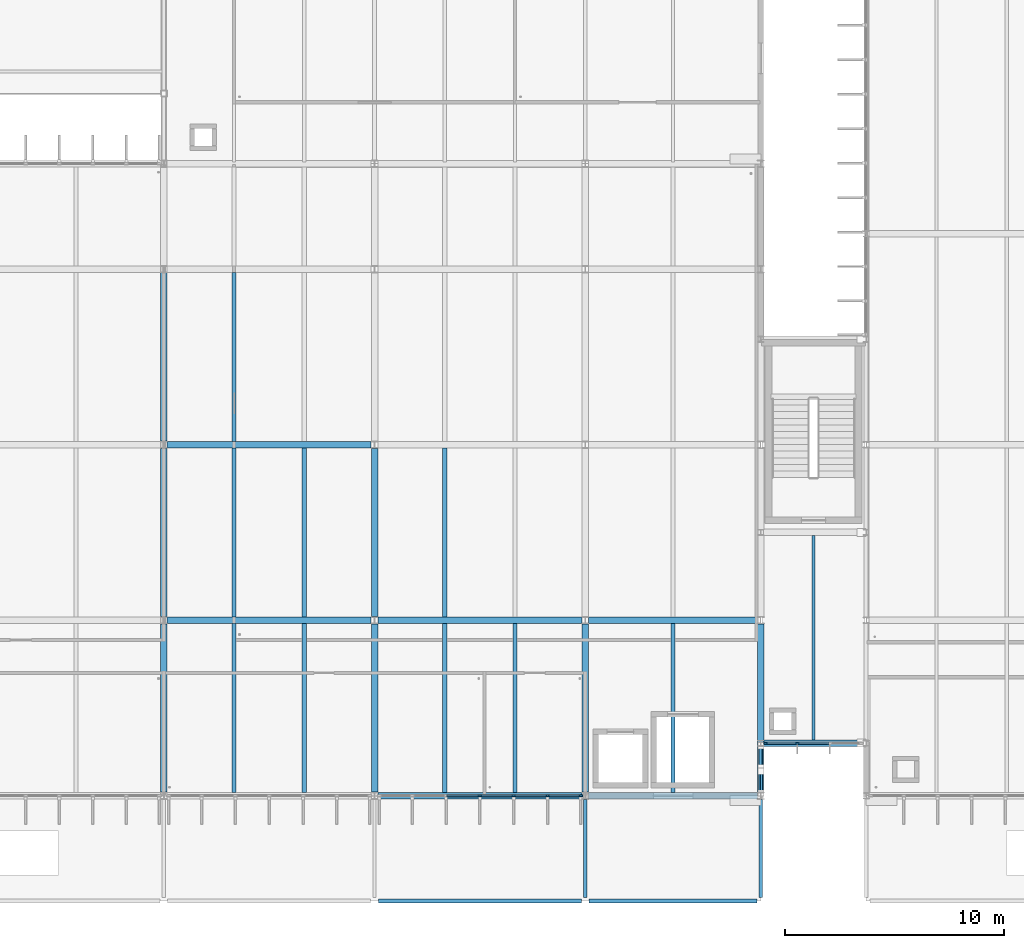
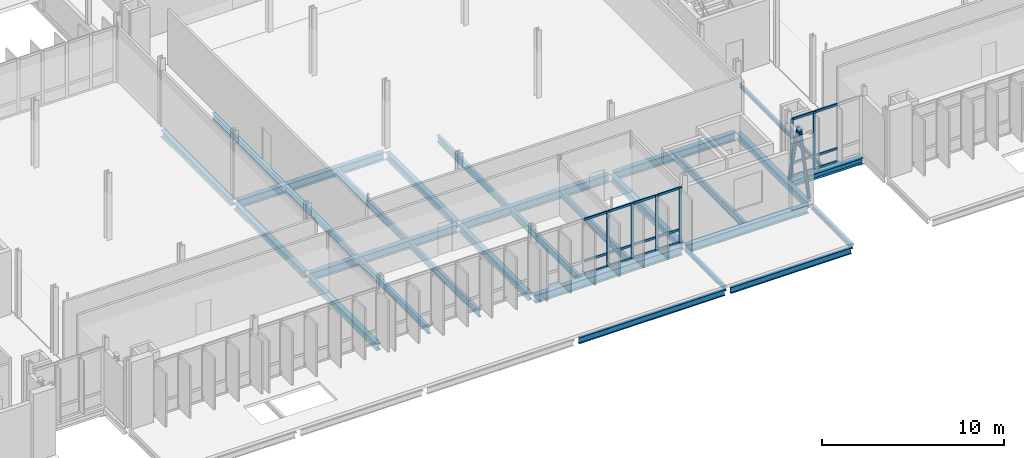
# One storey, part 29 of 107: 28 beams, 26 members, 2 elements without a shape of their own.
"""IFC4 building model written with IfcOpenShell, lengths in metres."""

from ifc_helpers import new_model, si_unit, direction, frame, origin, origin_2d, place, context, subcontext, project, spatial, rectangle, hollow_circle, i_section, extrude, material, material_profile, profile_set, type_object, element, aggregate, save


model = new_model("IFC4")

# Units and contexts
model_context = context("Model", 3, precision=1e-05, world=origin(), true_north=direction((0.0, 1.0)))
body_context = subcontext(model_context, "Body", "Model", "MODEL_VIEW")
ifc_project = project(units=[si_unit("LENGTHUNIT", "METRE"), si_unit("AREAUNIT", "SQUARE_METRE"), si_unit("VOLUMEUNIT", "CUBIC_METRE"), si_unit("PLANEANGLEUNIT", "RADIAN"), si_unit("MASSUNIT", "GRAM", prefix="KILO")], contexts=[model_context])

# Site, building, storey
site_placement = place(None, origin())
site = spatial("IfcSite", under=ifc_project, at=site_placement, CompositionType="ELEMENT")
building_placement = place(site_placement, origin())
building = spatial("IfcBuilding", under=site, at=building_placement, Name="Dunescarp Central Library", CompositionType="ELEMENT")
storey_placement = place(building_placement, frame((0.0, 0.0, 5.10009765625)))
storey = spatial("IfcBuildingStorey", under=building, at=storey_placement, Name="L01", CompositionType="ELEMENT", Elevation=5.10009765625)

# Curtain wall, members
ifc_material_1 = material(Name="Marine-grade anodised aluminium 6063-T6", Category="aluminium")
curtain_wall_type_1 = type_object("IfcCurtainWallType", Name="ARC-CW-STICK", PredefinedType="NOTDEFINED", material=ifc_material_1)
curtain_wall_1_placement = place(storey_placement, origin())
curtain_wall_1 = element("IfcCurtainWall", 1, at=curtain_wall_1_placement, inside=storey, type_object=curtain_wall_type_1, Name="L01 curtain wall CW-V3-087", PredefinedType="NOTDEFINED")
ifc_material_profile_1 = material_profile(ifc_material_1, rectangle(XDim=0.080078125, YDim=0.179931640625, at=origin_2d()), Name="AL 80x180")
ifc_profile_set_1 = profile_set([ifc_material_profile_1], Name="Marine-grade anodised aluminium 6063-T6")
member_type_1 = type_object("IfcMemberType", Name="ARC-CWM-180", PredefinedType="MULLION", material=ifc_profile_set_1)
member_1_placement = place(storey_placement, frame((116.5849609375, 4.800048828125, 0.0), z_axis=(0.0, 0.0, 1.0), x_axis=(0.0, -1.0, 0.0)))
member_1 = element("IfcMember", 2, at=member_1_placement, type_object=member_type_1, Name="CW-V3-087 mullion 1", PredefinedType="MULLION", context=body_context, shape_type="SweptSolid", body=[
    extrude(rectangle(XDim=0.080078125, YDim=0.179931640625, at=origin_2d()), origin(), (0.0, 0.0, 1.0), 3.71484375),
])
member_2_placement = place(storey_placement, frame((115.083251953125, 4.800048828125, 0.0), z_axis=(0.0, 0.0, 1.0), x_axis=(0.0, -1.0, 0.0)))
member_2 = element("IfcMember", 3, at=member_2_placement, type_object=member_type_1, Name="CW-V3-087 mullion 2", PredefinedType="MULLION", context=body_context, shape_type="SweptSolid", body=[
    extrude(rectangle(XDim=0.080078125, YDim=0.179931640625, at=origin_2d()), origin(), (0.0, 0.0, 1.0), 3.71484375),
])
member_3_placement = place(storey_placement, frame((113.541748046875, 4.800048828125, 0.0), z_axis=(0.0, 0.0, 1.0), x_axis=(0.0, -1.0, 0.0)))
member_3 = element("IfcMember", 4, at=member_3_placement, type_object=member_type_1, Name="CW-V3-087 mullion 3", PredefinedType="MULLION", context=body_context, shape_type="SweptSolid", body=[
    extrude(rectangle(XDim=0.080078125, YDim=0.179931640625, at=origin_2d()), origin(), (0.0, 0.0, 1.0), 3.71484375),
])
member_4_placement = place(storey_placement, frame((112.0, 4.800048828125, 0.0), z_axis=(0.0, 0.0, 1.0), x_axis=(0.0, -1.0, 0.0)))
member_4 = element("IfcMember", 5, at=member_4_placement, type_object=member_type_1, Name="CW-V3-087 mullion 4", PredefinedType="MULLION", context=body_context, shape_type="SweptSolid", body=[
    extrude(rectangle(XDim=0.080078125, YDim=0.179931640625, at=origin_2d()), origin(), (0.0, 0.0, 1.0), 3.71484375),
])

curtain_wall_type_2 = type_object("IfcCurtainWallType", Name="ARC-CW-LINK", PredefinedType="USERDEFINED", material=ifc_material_1)
curtain_wall_2_placement = place(storey_placement, origin())
curtain_wall_2 = element("IfcCurtainWall", 6, at=curtain_wall_2_placement, inside=storey, type_object=curtain_wall_type_2, Name="L01 curtain wall CW-GL3-S-L01", ObjectType="GLAZED_LINK_WALL", PredefinedType="USERDEFINED")
member_5_placement = place(storey_placement, frame((126.458251953125, 7.199951171875, 0.0), z_axis=(0.0, 0.0, 1.0), x_axis=(0.0, -1.0, 0.0)))
member_5 = element("IfcMember", 7, at=member_5_placement, type_object=member_type_1, Name="CW-GL3-S-L01 mullion 3", PredefinedType="MULLION", context=body_context, shape_type="SweptSolid", body=[
    extrude(rectangle(XDim=0.080078125, YDim=0.179931640625, at=origin_2d()), origin(), (0.0, 0.0, 1.0), 3.875),
])
member_6_placement = place(storey_placement, frame((125.014892578125, 7.199951171875, 0.0), z_axis=(0.0, 0.0, 1.0), x_axis=(0.0, -1.0, 0.0)))
member_6 = element("IfcMember", 8, at=member_6_placement, type_object=member_type_1, Name="CW-GL3-S-L01 mullion 4", PredefinedType="MULLION", context=body_context, shape_type="SweptSolid", body=[
    extrude(rectangle(XDim=0.080078125, YDim=0.179931640625, at=origin_2d()), origin(), (0.0, 0.0, 1.0), 3.875),
])

# Member
ifc_material_profile_2 = material_profile(ifc_material_1, rectangle(XDim=0.080078125, YDim=0.14990234375, at=origin_2d()), Name="AL 80x150")
ifc_profile_set_2 = profile_set([ifc_material_profile_2], Name="Marine-grade anodised aluminium 6063-T6")
member_type_2 = type_object("IfcMemberType", Name="ARC-CWT-150", PredefinedType="USERDEFINED", material=ifc_profile_set_2)
member_7_placement = place(storey_placement, frame((116.544921875, 4.800048828125, 0.039794921875), z_axis=(-1.0, 0.0, 0.0), x_axis=(0.0, -1.0, 0.0)))
member_7 = element("IfcMember", 9, at=member_7_placement, type_object=member_type_2, Name="CW-V3-087 transom 1.1", ObjectType="TRANSOM", PredefinedType="USERDEFINED", context=body_context, shape_type="SweptSolid", body=[
    extrude(rectangle(XDim=0.080078125, YDim=0.14990234375, at=origin_2d()), origin(), (0.0, 0.0, 1.0), 1.421630859375),
])

member_8_placement = place(storey_placement, frame((116.544921875, 4.800048828125, 0.89990234375), z_axis=(-1.0, 0.0, 0.0), x_axis=(0.0, -1.0, 0.0)))
member_8 = element("IfcMember", 10, at=member_8_placement, type_object=member_type_2, Name="CW-V3-087 transom 1.2", ObjectType="TRANSOM", PredefinedType="USERDEFINED", context=body_context, shape_type="SweptSolid", body=[
    extrude(rectangle(XDim=0.080078125, YDim=0.14990234375, at=origin_2d()), origin(), (0.0, 0.0, 1.0), 1.421630859375),
])

member_9_placement = place(storey_placement, frame((116.544921875, 4.800048828125, 3.6748046875), z_axis=(-1.0, 0.0, 0.0), x_axis=(0.0, -1.0, 0.0)))
member_9 = element("IfcMember", 11, at=member_9_placement, type_object=member_type_2, Name="CW-V3-087 transom 1.3", ObjectType="TRANSOM", PredefinedType="USERDEFINED", context=body_context, shape_type="SweptSolid", body=[
    extrude(rectangle(XDim=0.080078125, YDim=0.14990234375, at=origin_2d()), origin(), (0.0, 0.0, 1.0), 1.421630859375),
])

member_10_placement = place(storey_placement, frame((115.043212890625, 4.800048828125, 0.039794921875), z_axis=(-1.0, 0.0, 0.0), x_axis=(0.0, -1.0, 0.0)))
member_10 = element("IfcMember", 12, at=member_10_placement, type_object=member_type_2, Name="CW-V3-087 transom 2.1", ObjectType="TRANSOM", PredefinedType="USERDEFINED", context=body_context, shape_type="SweptSolid", body=[
    extrude(rectangle(XDim=0.080078125, YDim=0.14990234375, at=origin_2d()), origin(), (0.0, 0.0, 1.0), 1.46142578125),
])

member_11_placement = place(storey_placement, frame((115.043212890625, 4.800048828125, 0.89990234375), z_axis=(-1.0, 0.0, 0.0), x_axis=(0.0, -1.0, 0.0)))
member_11 = element("IfcMember", 13, at=member_11_placement, type_object=member_type_2, Name="CW-V3-087 transom 2.2", ObjectType="TRANSOM", PredefinedType="USERDEFINED", context=body_context, shape_type="SweptSolid", body=[
    extrude(rectangle(XDim=0.080078125, YDim=0.14990234375, at=origin_2d()), origin(), (0.0, 0.0, 1.0), 1.46142578125),
])

member_12_placement = place(storey_placement, frame((115.043212890625, 4.800048828125, 3.6748046875), z_axis=(-1.0, 0.0, 0.0), x_axis=(0.0, -1.0, 0.0)))
member_12 = element("IfcMember", 14, at=member_12_placement, type_object=member_type_2, Name="CW-V3-087 transom 2.3", ObjectType="TRANSOM", PredefinedType="USERDEFINED", context=body_context, shape_type="SweptSolid", body=[
    extrude(rectangle(XDim=0.080078125, YDim=0.14990234375, at=origin_2d()), origin(), (0.0, 0.0, 1.0), 1.46142578125),
])

member_13_placement = place(storey_placement, frame((113.501708984375, 4.800048828125, 0.039794921875), z_axis=(-1.0, 0.0, 0.0), x_axis=(0.0, -1.0, 0.0)))
member_13 = element("IfcMember", 15, at=member_13_placement, type_object=member_type_2, Name="CW-V3-087 transom 3.1", ObjectType="TRANSOM", PredefinedType="USERDEFINED", context=body_context, shape_type="SweptSolid", body=[
    extrude(rectangle(XDim=0.080078125, YDim=0.14990234375, at=origin_2d()), origin(), (0.0, 0.0, 1.0), 1.461669921875),
])

member_14_placement = place(storey_placement, frame((113.501708984375, 4.800048828125, 0.89990234375), z_axis=(-1.0, 0.0, 0.0), x_axis=(0.0, -1.0, 0.0)))
member_14 = element("IfcMember", 16, at=member_14_placement, type_object=member_type_2, Name="CW-V3-087 transom 3.2", ObjectType="TRANSOM", PredefinedType="USERDEFINED", context=body_context, shape_type="SweptSolid", body=[
    extrude(rectangle(XDim=0.080078125, YDim=0.14990234375, at=origin_2d()), origin(), (0.0, 0.0, 1.0), 1.461669921875),
])

member_15_placement = place(storey_placement, frame((113.501708984375, 4.800048828125, 3.6748046875), z_axis=(-1.0, 0.0, 0.0), x_axis=(0.0, -1.0, 0.0)))
member_15 = element("IfcMember", 17, at=member_15_placement, type_object=member_type_2, Name="CW-V3-087 transom 3.3", ObjectType="TRANSOM", PredefinedType="USERDEFINED", context=body_context, shape_type="SweptSolid", body=[
    extrude(rectangle(XDim=0.080078125, YDim=0.14990234375, at=origin_2d()), origin(), (0.0, 0.0, 1.0), 1.461669921875),
])

member_16_placement = place(storey_placement, frame((111.9599609375, 4.800048828125, 0.039794921875), z_axis=(-1.0, 0.0, 0.0), x_axis=(0.0, -1.0, 0.0)))
member_16 = element("IfcMember", 18, at=member_16_placement, type_object=member_type_2, Name="CW-V3-087 transom 4.1", ObjectType="TRANSOM", PredefinedType="USERDEFINED", context=body_context, shape_type="SweptSolid", body=[
    extrude(rectangle(XDim=0.080078125, YDim=0.14990234375, at=origin_2d()), origin(), (0.0, 0.0, 1.0), 1.461669921875),
])

member_17_placement = place(storey_placement, frame((111.9599609375, 4.800048828125, 0.89990234375), z_axis=(-1.0, 0.0, 0.0), x_axis=(0.0, -1.0, 0.0)))
member_17 = element("IfcMember", 19, at=member_17_placement, type_object=member_type_2, Name="CW-V3-087 transom 4.2", ObjectType="TRANSOM", PredefinedType="USERDEFINED", context=body_context, shape_type="SweptSolid", body=[
    extrude(rectangle(XDim=0.080078125, YDim=0.14990234375, at=origin_2d()), origin(), (0.0, 0.0, 1.0), 1.461669921875),
])

member_18_placement = place(storey_placement, frame((111.9599609375, 4.800048828125, 3.6748046875), z_axis=(-1.0, 0.0, 0.0), x_axis=(0.0, -1.0, 0.0)))
member_18 = element("IfcMember", 20, at=member_18_placement, type_object=member_type_2, Name="CW-V3-087 transom 4.3", ObjectType="TRANSOM", PredefinedType="USERDEFINED", context=body_context, shape_type="SweptSolid", body=[
    extrude(rectangle(XDim=0.080078125, YDim=0.14990234375, at=origin_2d()), origin(), (0.0, 0.0, 1.0), 1.461669921875),
])

aggregate(curtain_wall_1, [member_1, member_2, member_3, member_4, member_7, member_8, member_9, member_10, member_11, member_12, member_13, member_14, member_15, member_16, member_17, member_18])

member_19_placement = place(storey_placement, frame((127.901611328125, 7.199951171875, 0.039794921875), z_axis=(-1.0, 0.0, 0.0), x_axis=(0.0, -1.0, 0.0)))
member_19 = element("IfcMember", 21, at=member_19_placement, type_object=member_type_2, Name="CW-GL3-S-L01 transom 2.1", ObjectType="TRANSOM", PredefinedType="USERDEFINED", context=body_context, shape_type="SweptSolid", body=[
    extrude(rectangle(XDim=0.080078125, YDim=0.14990234375, at=origin_2d()), origin(), (0.0, 0.0, 1.0), 1.4033203125),
])

member_20_placement = place(storey_placement, frame((127.901611328125, 7.199951171875, 0.89990234375), z_axis=(-1.0, 0.0, 0.0), x_axis=(0.0, -1.0, 0.0)))
member_20 = element("IfcMember", 22, at=member_20_placement, type_object=member_type_2, Name="CW-GL3-S-L01 transom 2.2", ObjectType="TRANSOM", PredefinedType="USERDEFINED", context=body_context, shape_type="SweptSolid", body=[
    extrude(rectangle(XDim=0.080078125, YDim=0.14990234375, at=origin_2d()), origin(), (0.0, 0.0, 1.0), 1.4033203125),
])

member_21_placement = place(storey_placement, frame((127.901611328125, 7.199951171875, 3.8349609375), z_axis=(-1.0, 0.0, 0.0), x_axis=(0.0, -1.0, 0.0)))
member_21 = element("IfcMember", 23, at=member_21_placement, type_object=member_type_2, Name="CW-GL3-S-L01 transom 2.3", ObjectType="TRANSOM", PredefinedType="USERDEFINED", context=body_context, shape_type="SweptSolid", body=[
    extrude(rectangle(XDim=0.080078125, YDim=0.14990234375, at=origin_2d()), origin(), (0.0, 0.0, 1.0), 1.4033203125),
])

member_22_placement = place(storey_placement, frame((126.418212890625, 7.199951171875, 0.039794921875), z_axis=(-1.0, 0.0, 0.0), x_axis=(0.0, -1.0, 0.0)))
member_22 = element("IfcMember", 24, at=member_22_placement, type_object=member_type_2, Name="CW-GL3-S-L01 transom 3.1", ObjectType="TRANSOM", PredefinedType="USERDEFINED", context=body_context, shape_type="SweptSolid", body=[
    extrude(rectangle(XDim=0.080078125, YDim=0.14990234375, at=origin_2d()), origin(), (0.0, 0.0, 1.0), 1.36328125),
])

member_23_placement = place(storey_placement, frame((126.418212890625, 7.199951171875, 0.89990234375), z_axis=(-1.0, 0.0, 0.0), x_axis=(0.0, -1.0, 0.0)))
member_23 = element("IfcMember", 25, at=member_23_placement, type_object=member_type_2, Name="CW-GL3-S-L01 transom 3.2", ObjectType="TRANSOM", PredefinedType="USERDEFINED", context=body_context, shape_type="SweptSolid", body=[
    extrude(rectangle(XDim=0.080078125, YDim=0.14990234375, at=origin_2d()), origin(), (0.0, 0.0, 1.0), 1.36328125),
])

member_24_placement = place(storey_placement, frame((126.418212890625, 7.199951171875, 3.8349609375), z_axis=(-1.0, 0.0, 0.0), x_axis=(0.0, -1.0, 0.0)))
member_24 = element("IfcMember", 26, at=member_24_placement, type_object=member_type_2, Name="CW-GL3-S-L01 transom 3.3", ObjectType="TRANSOM", PredefinedType="USERDEFINED", context=body_context, shape_type="SweptSolid", body=[
    extrude(rectangle(XDim=0.080078125, YDim=0.14990234375, at=origin_2d()), origin(), (0.0, 0.0, 1.0), 1.36328125),
])

aggregate(curtain_wall_2, [member_5, member_6, member_19, member_20, member_21, member_22, member_23, member_24])

# Beams
ifc_material_2 = material(Name="Steel S355JR", Category="steel")
ifc_material_profile_3 = material_profile(ifc_material_2, i_section(OverallWidth=0.300048828125, OverallDepth=0.389892578125, WebThickness=0.010986328125, FlangeThickness=0.01904296875, at=origin_2d()), Name="HEA 400")
ifc_profile_set_3 = profile_set([ifc_material_profile_3], Name="Steel S355JR")
beam_type_1 = type_object("IfcBeamType", Name="STR-BM-HEA400", PredefinedType="BEAM", material=ifc_profile_set_3)
beam_1_placement = place(storey_placement, frame((124.927978515625, 7.199951171875, -0.4150390625), z_axis=(1.0, 0.0, 0.0), x_axis=(0.0, 1.0, 0.0)))
element("IfcBeam", 27, at=beam_1_placement, inside=storey, type_object=beam_type_1, Name="L01 girder BM-L01-1257", PredefinedType="BEAM", context=body_context, shape_type="SweptSolid", body=[
    extrude(i_section(OverallWidth=0.300048828125, OverallDepth=0.389892578125, WebThickness=0.010986328125, FlangeThickness=0.01904296875, at=origin_2d()), origin(), (0.0, 0.0, 1.0), 4.547119140625),
])
ifc_material_profile_4 = material_profile(ifc_material_2, i_section(OverallWidth=0.300048828125, OverallDepth=0.449951171875, WebThickness=0.013916015625, FlangeThickness=0.02587890625, at=origin_2d()), Name="HEB 450")
ifc_profile_set_4 = profile_set([ifc_material_profile_4], Name="Steel S355JR")
beam_type_2 = type_object("IfcBeamType", Name="STR-BM-HEB450", PredefinedType="BEAM", material=ifc_profile_set_4)
for number, where, z_axis, x_axis, name in (
    (28, (97.60009765625, 4.967041015625, -0.445068359375), (0.0, 1.0, 0.0), (-1.0, 0.0, 0.0), "L01 girder BM-L01-0674"),
    (29, (97.60009765625, 12.967041015625, -0.445068359375), (0.0, 1.0, 0.0), (-1.0, 0.0, 0.0), "L01 girder BM-L01-0677"),
    (30, (97.60009765625, 20.967041015625, -0.445068359375), (0.0, 1.0, 0.0), (-1.0, 0.0, 0.0), "L01 girder BM-L01-0680"),
    (31, (107.199951171875, 4.967041015625, -0.445068359375), (0.0, 1.0, 0.0), (-1.0, 0.0, 0.0), "L01 girder BM-L01-0687"),
    (32, (107.199951171875, 12.967041015625, -0.445068359375), (0.0, 1.0, 0.0), (-1.0, 0.0, 0.0), "L01 girder BM-L01-0691"),
    (33, (116.800048828125, 4.967041015625, -0.445068359375), (0.0, 1.0, 0.0), (-1.0, 0.0, 0.0), "L01 girder BM-L01-0704"),
    (34, (124.800048828125, 4.967041015625, -0.445068359375), (0.0, 1.0, 0.0), (-1.0, 0.0, 0.0), "L01 girder BM-L01-0721"),
):
    element("IfcBeam", number, at=place(storey_placement, frame(where, z_axis=z_axis, x_axis=x_axis)), inside=storey, type_object=beam_type_2, Name=name, PredefinedType="BEAM", context=body_context, shape_type="SweptSolid", body=[
        extrude(i_section(OverallWidth=0.300048828125, OverallDepth=0.449951171875, WebThickness=0.013916015625, FlangeThickness=0.02587890625, at=origin_2d()), origin(), (0.0, 0.0, 1.0), 7.666015625),
    ])
ifc_material_profile_5 = material_profile(ifc_material_2, i_section(OverallWidth=0.300048828125, OverallDepth=0.550048828125, WebThickness=0.014892578125, FlangeThickness=0.029052734375, at=origin_2d()), Name="HEB 550")
ifc_profile_set_5 = profile_set([ifc_material_profile_5], Name="Steel S355JR")
beam_type_3 = type_object("IfcBeamType", Name="STR-BM-HEB550", PredefinedType="BEAM", material=ifc_profile_set_5)
for number, where, z_axis, x_axis, name in (
    (35, (97.75390625, 12.800048828125, -0.4951171875), (1.0, 0.0, 0.0), (0.0, 1.0, 0.0), "L01 girder BM-L01-0686"),
    (36, (97.75390625, 20.800048828125, -0.4951171875), (1.0, 0.0, 0.0), (0.0, 1.0, 0.0), "L01 girder BM-L01-0690"),
    (37, (107.35400390625, 4.800048828125, -0.4951171875), (1.0, 0.0, 0.0), (0.0, 1.0, 0.0), "L01 girder BM-L01-0702"),
    (38, (107.35400390625, 12.800048828125, -0.4951171875), (1.0, 0.0, 0.0), (0.0, 1.0, 0.0), "L01 girder BM-L01-0703"),
):
    element("IfcBeam", number, at=place(storey_placement, frame(where, z_axis=z_axis, x_axis=x_axis)), inside=storey, type_object=beam_type_3, Name=name, PredefinedType="BEAM", context=body_context, shape_type="SweptSolid", body=[
        extrude(i_section(OverallWidth=0.300048828125, OverallDepth=0.550048828125, WebThickness=0.014892578125, FlangeThickness=0.029052734375, at=origin_2d()), origin(), (0.0, 0.0, 1.0), 9.2919921875),
    ])
for number, where, z_axis, x_axis, name in (
    (39, (116.9541015625, 4.800048828125, -0.4951171875), (1.0, 0.0, 0.0), (0.0, 1.0, 0.0), "L01 girder BM-L01-0719"),
    (40, (116.9541015625, 12.800048828125, -0.4951171875), (1.0, 0.0, 0.0), (0.0, 1.0, 0.0), "L01 girder BM-L01-0720"),
):
    element("IfcBeam", number, at=place(storey_placement, frame(where, z_axis=z_axis, x_axis=x_axis)), inside=storey, type_object=beam_type_3, Name=name, PredefinedType="BEAM", context=body_context, shape_type="SweptSolid", body=[
        extrude(i_section(OverallWidth=0.300048828125, OverallDepth=0.550048828125, WebThickness=0.014892578125, FlangeThickness=0.029052734375, at=origin_2d()), origin(), (0.0, 0.0, 1.0), 7.69189453125),
    ])

# Members
ifc_material_3 = material(Name="Steel S355J0", Category="steel")
ifc_material_profile_6 = material_profile(ifc_material_3, hollow_circle(Radius=0.109619140625, WallThickness=0.010009765625, at=origin_2d()), Name="CHS 219.1x10")
ifc_profile_set_6 = profile_set([ifc_material_profile_6], Name="Steel S355J0")
member_type_3 = type_object("IfcMemberType", Name="STR-BR-219", PredefinedType="BRACE", material=ifc_profile_set_6)
for number, where, z_axis, x_axis, name in (
    (41, (124.800048828125, 4.919921875, 0.0), (0.0, 0.23972532699, 0.970840752956), (-1.0, 0.0, 0.0), "L01 concentric brace BR-L01-043"),
    (42, (124.800048828125, 7.080078125, 0.0), (0.0, -0.23972532699, 0.970840752956), (1.0, 0.0, 0.0), "L01 concentric brace BR-L01-044"),
):
    element("IfcMember", number, at=place(storey_placement, frame(where, z_axis=z_axis, x_axis=x_axis)), inside=storey, type_object=member_type_3, Name=name, PredefinedType="BRACE", context=body_context, shape_type="SweptSolid", body=[
        extrude(hollow_circle(Radius=0.109619140625, WallThickness=0.010009765625, at=origin_2d()), origin(), (0.0, 0.0, 1.0), 4.17138671875),
    ])

# Beams
ifc_material_profile_7 = material_profile(ifc_material_2, i_section(OverallWidth=0.135009765625, OverallDepth=0.27001953125, WebThickness=0.006591796875, FlangeThickness=0.01025390625, at=origin_2d()), Name="IPE 270")
ifc_profile_set_7 = profile_set([ifc_material_profile_7], Name="Steel S355JR")
beam_type_4 = type_object("IfcBeamType", Name="STR-JS-IPE270", PredefinedType="JOIST", material=ifc_profile_set_7)
beam_2_placement = place(storey_placement, frame((127.199951171875, 7.347900390625, -0.35498046875), z_axis=(0.0, 1.0, 0.0), x_axis=(-1.0, 0.0, 0.0)))
element("IfcBeam", 43, at=beam_2_placement, inside=storey, type_object=beam_type_4, Name="L01 joist JS-L01-1259", PredefinedType="JOIST", context=body_context, shape_type="SweptSolid", body=[
    extrude(i_section(OverallWidth=0.135009765625, OverallDepth=0.27001953125, WebThickness=0.006591796875, FlangeThickness=0.01025390625, at=origin_2d()), origin(), (0.0, 0.0, 1.0), 9.30419921875),
])
ifc_material_profile_8 = material_profile(ifc_material_2, i_section(OverallWidth=0.14990234375, OverallDepth=0.300048828125, WebThickness=0.007080078125, FlangeThickness=0.0107421875, at=origin_2d()), Name="IPE 300")
ifc_profile_set_8 = profile_set([ifc_material_profile_8], Name="Steel S355JR")
beam_type_5 = type_object("IfcBeamType", Name="STR-JS-IPE300", PredefinedType="JOIST", material=ifc_profile_set_8)
for number, where, z_axis, x_axis, name in (
    (44, (116.800048828125, 0.175048828125, -0.35009765625), (0.0, 1.0, 0.0), (-1.0, 0.0, 0.0), "Colonnade tie beam BM-L01-1463"),
    (45, (124.800048828125, 0.175048828125, -0.35009765625), (0.0, 1.0, 0.0), (-1.0, 0.0, 0.0), "Colonnade tie beam BM-L01-1464"),
):
    element("IfcBeam", number, at=place(storey_placement, frame(where, z_axis=z_axis, x_axis=x_axis)), inside=storey, type_object=beam_type_5, Name=name, PredefinedType="JOIST", context=body_context, shape_type="SweptSolid", body=[
        extrude(i_section(OverallWidth=0.14990234375, OverallDepth=0.300048828125, WebThickness=0.007080078125, FlangeThickness=0.0107421875, at=origin_2d()), origin(), (0.0, 0.0, 1.0), 4.4580078125),
    ])
ifc_material_profile_9 = material_profile(ifc_material_2, i_section(OverallWidth=0.18994140625, OverallDepth=0.449951171875, WebThickness=0.009521484375, FlangeThickness=0.0146484375, at=origin_2d()), Name="IPE 450")
ifc_profile_set_9 = profile_set([ifc_material_profile_9], Name="Steel S355JR")
beam_type_6 = type_object("IfcBeamType", Name="STR-JS-IPE450", PredefinedType="JOIST", material=ifc_profile_set_9)
for number, where, z_axis, x_axis, name in (
    (46, (100.800048828125, 4.947998046875, -0.445068359375), (0.0, 1.0, 0.0), (-1.0, 0.0, 0.0), "L01 joist JS-L01-0688"),
    (47, (104.0, 4.947998046875, -0.445068359375), (0.0, 1.0, 0.0), (-1.0, 0.0, 0.0), "L01 joist JS-L01-0689"),
    (48, (100.800048828125, 12.947998046875, -0.445068359375), (0.0, 1.0, 0.0), (-1.0, 0.0, 0.0), "L01 joist JS-L01-0692"),
    (49, (104.0, 12.947998046875, -0.445068359375), (0.0, 1.0, 0.0), (-1.0, 0.0, 0.0), "L01 joist JS-L01-0693"),
    (50, (100.800048828125, 20.947998046875, -0.445068359375), (0.0, 1.0, 0.0), (-1.0, 0.0, 0.0), "L01 joist JS-L01-0696"),
    (51, (110.39990234375, 4.947998046875, -0.445068359375), (0.0, 1.0, 0.0), (-1.0, 0.0, 0.0), "L01 joist JS-L01-0705"),
    (52, (113.60009765625, 4.947998046875, -0.445068359375), (0.0, 1.0, 0.0), (-1.0, 0.0, 0.0), "L01 joist JS-L01-0706"),
    (53, (110.39990234375, 12.947998046875, -0.445068359375), (0.0, 1.0, 0.0), (-1.0, 0.0, 0.0), "L01 joist JS-L01-0709"),
    (54, (120.800048828125, 4.947998046875, -0.445068359375), (0.0, 1.0, 0.0), (-1.0, 0.0, 0.0), "L01 joist JS-L01-0722"),
):
    element("IfcBeam", number, at=place(storey_placement, frame(where, z_axis=z_axis, x_axis=x_axis)), inside=storey, type_object=beam_type_6, Name=name, PredefinedType="JOIST", context=body_context, shape_type="SweptSolid", body=[
        extrude(i_section(OverallWidth=0.18994140625, OverallDepth=0.449951171875, WebThickness=0.009521484375, FlangeThickness=0.0146484375, at=origin_2d()), origin(), (0.0, 0.0, 1.0), 7.7041015625),
    ])
ifc_material_profile_10 = material_profile(ifc_material_2, i_section(OverallWidth=0.177978515625, OverallDepth=0.406494140625, WebThickness=0.0078125, FlangeThickness=0.0126953125, at=origin_2d()), Name="UB 406x178x60")
ifc_profile_set_10 = profile_set([ifc_material_profile_10], Name="Steel S355JR")
beam_type_7 = type_object("IfcBeamType", Name="STR-SP-UB406", PredefinedType="SPANDREL", material=ifc_profile_set_10)
beam_3_placement = place(storey_placement, frame((107.375, 0.0, -0.403076171875), z_axis=(1.0, 0.0, 0.0), x_axis=(0.0, 1.0, 0.0)))
element("IfcBeam", 55, at=beam_3_placement, inside=storey, type_object=beam_type_7, Name="Colonnade spandrel SP-L01-1457", PredefinedType="SPANDREL", context=body_context, shape_type="SweptSolid", body=[
    extrude(i_section(OverallWidth=0.177978515625, OverallDepth=0.406494140625, WebThickness=0.0078125, FlangeThickness=0.0126953125, at=origin_2d()), origin(), (0.0, 0.0, 1.0), 9.25),
])
beam_4_placement = place(storey_placement, frame((116.97509765625, 0.0, -0.403076171875), z_axis=(1.0, 0.0, 0.0), x_axis=(0.0, 1.0, 0.0)))
element("IfcBeam", 56, at=beam_4_placement, inside=storey, type_object=beam_type_7, Name="Colonnade spandrel SP-L01-1458", PredefinedType="SPANDREL", context=body_context, shape_type="SweptSolid", body=[
    extrude(i_section(OverallWidth=0.177978515625, OverallDepth=0.406494140625, WebThickness=0.0078125, FlangeThickness=0.0126953125, at=origin_2d()), origin(), (0.0, 0.0, 1.0), 7.64990234375),
])

save(model, "model.ifc")
